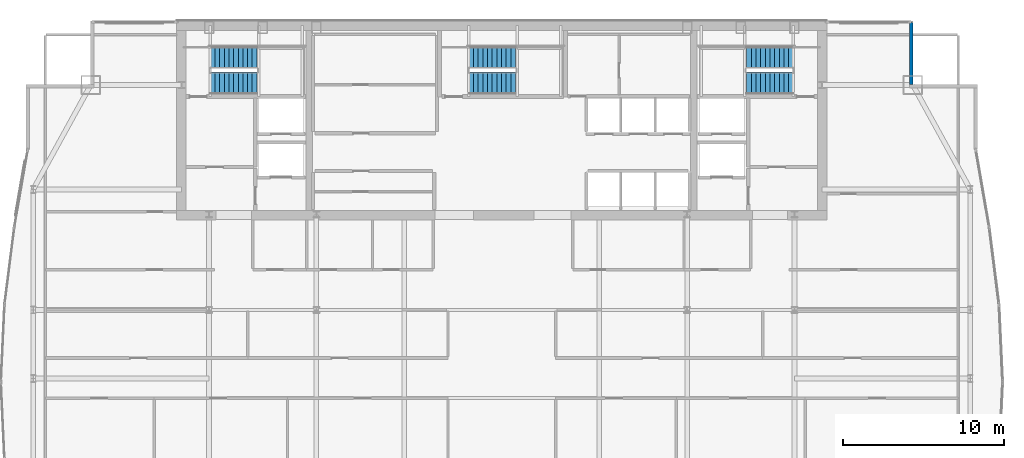
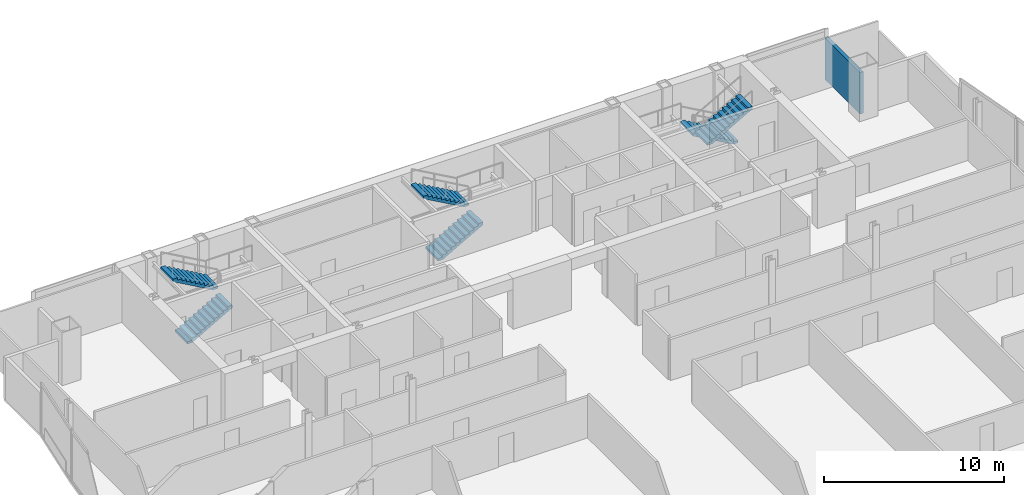
# One storey, part 28 of 30: 6 stair flights, 1 wall, 3 elements without a shape of their own.
"""IFC4 building model written with IfcOpenShell, lengths in metres."""

from ifc_helpers import new_model, si_unit, direction, frame, frame_2d, origin, place, context, subcontext, project, spatial, polyline, rectangle, outline, extrude, material, layer, layer_set, type_object, element, aggregate, save


model = new_model("IFC4")

# Units and contexts
model_context = context("Model", 3, precision=1e-05, world=origin(), true_north=direction((0.0, 1.0)))
body_context = subcontext(model_context, "Body", "Model", "MODEL_VIEW")
ifc_project = project(units=[si_unit("LENGTHUNIT", "METRE"), si_unit("AREAUNIT", "SQUARE_METRE"), si_unit("VOLUMEUNIT", "CUBIC_METRE"), si_unit("PLANEANGLEUNIT", "RADIAN"), si_unit("MASSUNIT", "GRAM", prefix="KILO")], contexts=[model_context])

# Site, building, storey
site_placement = place(None, origin())
site = spatial("IfcSite", under=ifc_project, at=site_placement, CompositionType="ELEMENT")
building_placement = place(site_placement, origin())
building = spatial("IfcBuilding", under=site, at=building_placement, Name="Khoronbel Lancet Exchange", CompositionType="ELEMENT")
storey_placement = place(building_placement, frame((0.0, 0.0, 224.60009765625)))
storey = spatial("IfcBuildingStorey", under=building, at=storey_placement, Name="L57", CompositionType="ELEMENT", Elevation=224.60009765625)

# Wall
ifc_material_1 = material(Name="Precast concrete C40/50", Category="concrete")
ifc_layer = layer(ifc_material_1, 0.25, Name="Precast concrete C40/50")
ifc_layer_set = layer_set([ifc_layer], Name="Precast concrete C40/50")
wall_type = type_object("IfcWallType", Name="WL-EXT250", PredefinedType="SOLIDWALL", material=ifc_layer_set)
wall_placement = place(storey_placement, frame((61.9599609375, 53.6298828125, 0.0), z_axis=(0.0, 0.0, 1.0), x_axis=(0.0, -1.0, 0.0)))
element("IfcWall", 1, at=wall_placement, inside=storey, type_object=wall_type, Name="Level L57 notched-corner limestone pier 14", PredefinedType="SOLIDWALL", context=body_context, shape_type="SweptSolid", body=[
    extrude(rectangle(XDim=3.909912109375, YDim=0.219970703125, at=frame_2d((1.955078125, 0.0))), origin(), (0.0, 0.0, 1.0), 2.829833984375),
])

# Stair, stair flights
ifc_material_2 = material(Name="Concrete C40/50", Category="concrete")
stair_type = type_object("IfcStairType", Name="STR-CORE150", PredefinedType="HALF_TURN_STAIR", material=ifc_material_2)
stair_1_placement = place(storey_placement, origin())
stair_1 = element("IfcStair", 2, at=stair_1_placement, inside=storey, type_object=stair_type, Name="L57 Protected Exit Stair ST1", PredefinedType="HALF_TURN_STAIR")
stair_flight_type = type_object("IfcStairFlightType", Name="STF-150", PredefinedType="STRAIGHT", material=ifc_material_2)
stair_flight_1_placement = place(storey_placement, frame((18.300048828125, 49.81005859375, 0.0), z_axis=(0.0, 0.0, 1.0), x_axis=(1.0, 0.0, 0.0)))
stair_flight_1 = element("IfcStairFlight", 3, at=stair_flight_1_placement, type_object=stair_flight_type, Name="ST1 flight 1", NumberOfRisers=11, NumberOfTreads=10, PredefinedType="STRAIGHT", RiserHeight=0.163636364, TreadLength=0.29, context=body_context, shape_type="SweptSolid", body=[
    extrude(outline(polyline([(0.0, 0.0), (0.0, 0.16357421875), (0.2900390625, 0.16357421875), (0.2900390625, 0.327392578125), (0.580078125, 0.327392578125), (0.580078125, 0.490966796875), (0.8701171875, 0.490966796875), (0.8701171875, 0.654541015625), (1.159912109375, 0.654541015625), (1.159912109375, 0.818115234375), (1.449951171875, 0.818115234375), (1.449951171875, 0.98193359375), (1.739990234375, 0.98193359375), (1.739990234375, 1.1455078125), (2.030029296875, 1.1455078125), (2.030029296875, 1.30908203125), (2.320068359375, 1.30908203125), (2.320068359375, 1.47265625), (2.610107421875, 1.47265625), (2.610107421875, 1.636474609375), (2.89990234375, 1.636474609375), (2.89990234375, 1.800048828125), (2.89990234375, 1.46435546875), (0.304931640625, 0.0), (0.0, 0.0)])), frame((0.0, 0.68994140625, 0.0), z_axis=(0.0, -1.0, 0.0), x_axis=(1.0, 0.0, 0.0)), (0.0, 0.0, 1.0), 1.3798828125),
])
stair_flight_2_placement = place(storey_placement, frame((21.199951171875, 51.409912109375, 1.7998046875), z_axis=(0.0, 0.0, 1.0), x_axis=(-1.0, 0.0, 0.0)))
stair_flight_2 = element("IfcStairFlight", 4, at=stair_flight_2_placement, type_object=stair_flight_type, Name="ST1 flight 2", NumberOfRisers=11, NumberOfTreads=10, PredefinedType="STRAIGHT", RiserHeight=0.163636364, TreadLength=0.29, context=body_context, shape_type="SweptSolid", body=[
    extrude(outline(polyline([(0.0, 0.0), (0.0, 0.16357421875), (0.2900390625, 0.16357421875), (0.2900390625, 0.327392578125), (0.580078125, 0.327392578125), (0.580078125, 0.490966796875), (0.8701171875, 0.490966796875), (0.8701171875, 0.654541015625), (1.159912109375, 0.654541015625), (1.159912109375, 0.818115234375), (1.449951171875, 0.818115234375), (1.449951171875, 0.98193359375), (1.739990234375, 0.98193359375), (1.739990234375, 1.1455078125), (2.030029296875, 1.1455078125), (2.030029296875, 1.30908203125), (2.320068359375, 1.30908203125), (2.320068359375, 1.47265625), (2.610107421875, 1.47265625), (2.610107421875, 1.636474609375), (2.89990234375, 1.636474609375), (2.89990234375, 1.800048828125), (2.89990234375, 1.46435546875), (0.304931640625, 0.0), (0.0, 0.0)])), frame((0.0, 0.68994140625, 0.0), z_axis=(0.0, -1.0, 0.0), x_axis=(1.0, 0.0, 0.0)), (0.0, 0.0, 1.0), 1.3798828125),
])
aggregate(stair_1, [stair_flight_1, stair_flight_2])

stair_2_placement = place(storey_placement, origin())
stair_2 = element("IfcStair", 5, at=stair_2_placement, inside=storey, type_object=stair_type, Name="L57 Protected Exit Stair ST2", PredefinedType="HALF_TURN_STAIR")
stair_flight_3_placement = place(storey_placement, frame((54.60009765625, 51.409912109375, 0.0), z_axis=(0.0, 0.0, 1.0), x_axis=(-1.0, 0.0, 0.0)))
stair_flight_3 = element("IfcStairFlight", 6, at=stair_flight_3_placement, type_object=stair_flight_type, Name="ST2 flight 1", NumberOfRisers=11, NumberOfTreads=10, PredefinedType="STRAIGHT", RiserHeight=0.163636364, TreadLength=0.29, context=body_context, shape_type="SweptSolid", body=[
    extrude(outline(polyline([(0.0, 0.0), (0.0, 0.16357421875), (0.2900390625, 0.16357421875), (0.2900390625, 0.327392578125), (0.580078125, 0.327392578125), (0.580078125, 0.490966796875), (0.8701171875, 0.490966796875), (0.8701171875, 0.654541015625), (1.159912109375, 0.654541015625), (1.159912109375, 0.818115234375), (1.449951171875, 0.818115234375), (1.449951171875, 0.98193359375), (1.739990234375, 0.98193359375), (1.739990234375, 1.1455078125), (2.030029296875, 1.1455078125), (2.030029296875, 1.30908203125), (2.320068359375, 1.30908203125), (2.320068359375, 1.47265625), (2.610107421875, 1.47265625), (2.610107421875, 1.636474609375), (2.89990234375, 1.636474609375), (2.89990234375, 1.800048828125), (2.89990234375, 1.46435546875), (0.304931640625, 0.0), (0.0, 0.0)])), frame((0.0, 0.68994140625, 0.0), z_axis=(0.0, -1.0, 0.0), x_axis=(1.0, 0.0, 0.0)), (0.0, 0.0, 1.0), 1.3798828125),
])
stair_flight_4_placement = place(storey_placement, frame((51.699951171875, 49.81005859375, 1.7998046875), z_axis=(0.0, 0.0, 1.0), x_axis=(1.0, 0.0, 0.0)))
stair_flight_4 = element("IfcStairFlight", 7, at=stair_flight_4_placement, type_object=stair_flight_type, Name="ST2 flight 2", NumberOfRisers=11, NumberOfTreads=10, PredefinedType="STRAIGHT", RiserHeight=0.163636364, TreadLength=0.29, context=body_context, shape_type="SweptSolid", body=[
    extrude(outline(polyline([(0.0, 0.0), (0.0, 0.16357421875), (0.2900390625, 0.16357421875), (0.2900390625, 0.327392578125), (0.580078125, 0.327392578125), (0.580078125, 0.490966796875), (0.8701171875, 0.490966796875), (0.8701171875, 0.654541015625), (1.159912109375, 0.654541015625), (1.159912109375, 0.818115234375), (1.449951171875, 0.818115234375), (1.449951171875, 0.98193359375), (1.739990234375, 0.98193359375), (1.739990234375, 1.1455078125), (2.030029296875, 1.1455078125), (2.030029296875, 1.30908203125), (2.320068359375, 1.30908203125), (2.320068359375, 1.47265625), (2.610107421875, 1.47265625), (2.610107421875, 1.636474609375), (2.89990234375, 1.636474609375), (2.89990234375, 1.800048828125), (2.89990234375, 1.46435546875), (0.304931640625, 0.0), (0.0, 0.0)])), frame((0.0, 0.68994140625, 0.0), z_axis=(0.0, -1.0, 0.0), x_axis=(1.0, 0.0, 0.0)), (0.0, 0.0, 1.0), 1.3798828125),
])
aggregate(stair_2, [stair_flight_3, stair_flight_4])

stair_3_placement = place(storey_placement, origin())
stair_3 = element("IfcStair", 8, at=stair_3_placement, inside=storey, type_object=stair_type, Name="L57 Protected Exit Stair ST3", PredefinedType="HALF_TURN_STAIR")
stair_flight_5_placement = place(storey_placement, frame((34.39990234375, 49.81005859375, 0.0), z_axis=(0.0, 0.0, 1.0), x_axis=(1.0, 0.0, 0.0)))
stair_flight_5 = element("IfcStairFlight", 9, at=stair_flight_5_placement, type_object=stair_flight_type, Name="ST3 flight 1", NumberOfRisers=11, NumberOfTreads=10, PredefinedType="STRAIGHT", RiserHeight=0.163636364, TreadLength=0.29, context=body_context, shape_type="SweptSolid", body=[
    extrude(outline(polyline([(0.0, 0.0), (0.0, 0.16357421875), (0.2900390625, 0.16357421875), (0.2900390625, 0.327392578125), (0.580078125, 0.327392578125), (0.580078125, 0.490966796875), (0.8701171875, 0.490966796875), (0.8701171875, 0.654541015625), (1.159912109375, 0.654541015625), (1.159912109375, 0.818115234375), (1.449951171875, 0.818115234375), (1.449951171875, 0.98193359375), (1.739990234375, 0.98193359375), (1.739990234375, 1.1455078125), (2.030029296875, 1.1455078125), (2.030029296875, 1.30908203125), (2.320068359375, 1.30908203125), (2.320068359375, 1.47265625), (2.610107421875, 1.47265625), (2.610107421875, 1.636474609375), (2.89990234375, 1.636474609375), (2.89990234375, 1.800048828125), (2.89990234375, 1.46435546875), (0.304931640625, 0.0), (0.0, 0.0)])), frame((0.0, 0.68994140625, 0.0), z_axis=(0.0, -1.0, 0.0), x_axis=(1.0, 0.0, 0.0)), (0.0, 0.0, 1.0), 1.3798828125),
])
stair_flight_6_placement = place(storey_placement, frame((37.300048828125, 51.409912109375, 1.7998046875), z_axis=(0.0, 0.0, 1.0), x_axis=(-1.0, 0.0, 0.0)))
stair_flight_6 = element("IfcStairFlight", 10, at=stair_flight_6_placement, type_object=stair_flight_type, Name="ST3 flight 2", NumberOfRisers=11, NumberOfTreads=10, PredefinedType="STRAIGHT", RiserHeight=0.163636364, TreadLength=0.29, context=body_context, shape_type="SweptSolid", body=[
    extrude(outline(polyline([(0.0, 0.0), (0.0, 0.16357421875), (0.2900390625, 0.16357421875), (0.2900390625, 0.327392578125), (0.580078125, 0.327392578125), (0.580078125, 0.490966796875), (0.8701171875, 0.490966796875), (0.8701171875, 0.654541015625), (1.159912109375, 0.654541015625), (1.159912109375, 0.818115234375), (1.449951171875, 0.818115234375), (1.449951171875, 0.98193359375), (1.739990234375, 0.98193359375), (1.739990234375, 1.1455078125), (2.030029296875, 1.1455078125), (2.030029296875, 1.30908203125), (2.320068359375, 1.30908203125), (2.320068359375, 1.47265625), (2.610107421875, 1.47265625), (2.610107421875, 1.636474609375), (2.89990234375, 1.636474609375), (2.89990234375, 1.800048828125), (2.89990234375, 1.46435546875), (0.304931640625, 0.0), (0.0, 0.0)])), frame((0.0, 0.68994140625, 0.0), z_axis=(0.0, -1.0, 0.0), x_axis=(1.0, 0.0, 0.0)), (0.0, 0.0, 1.0), 1.3798828125),
])
aggregate(stair_3, [stair_flight_5, stair_flight_6])

save(model, "model.ifc")
